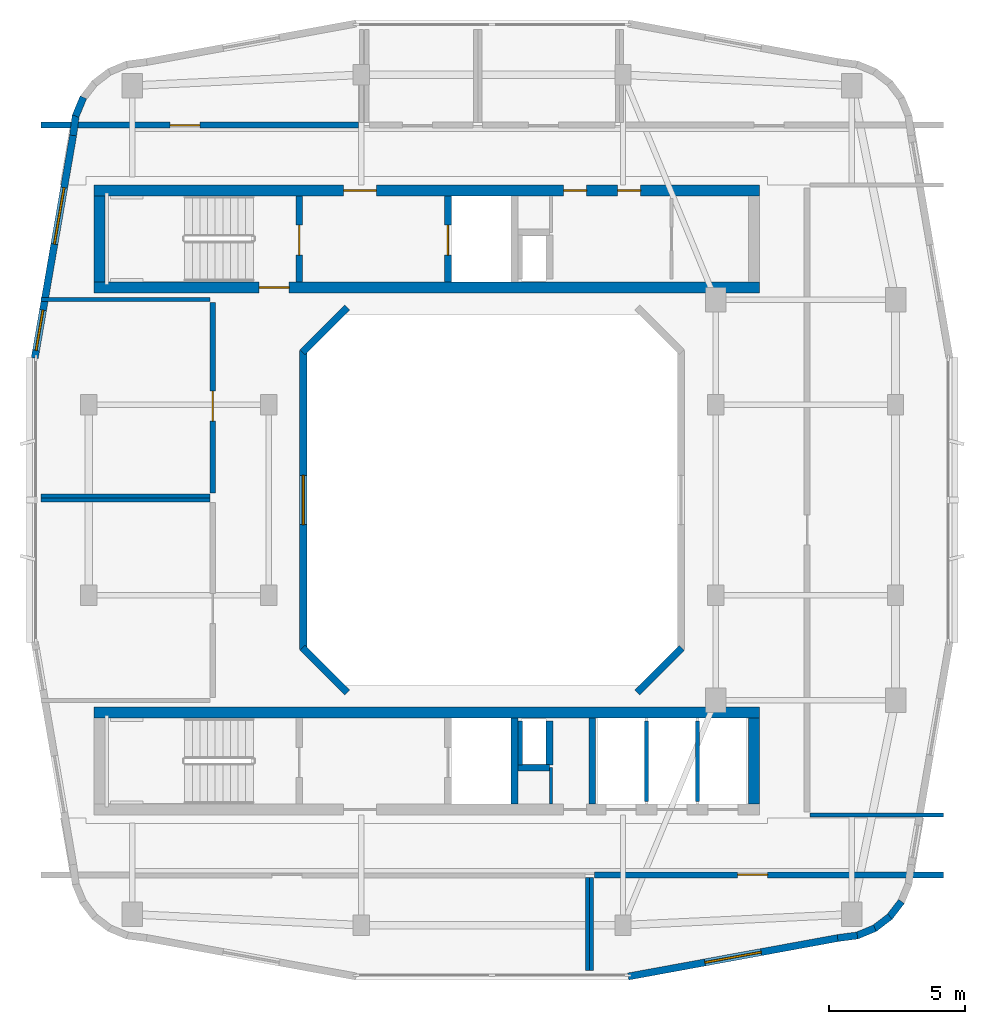
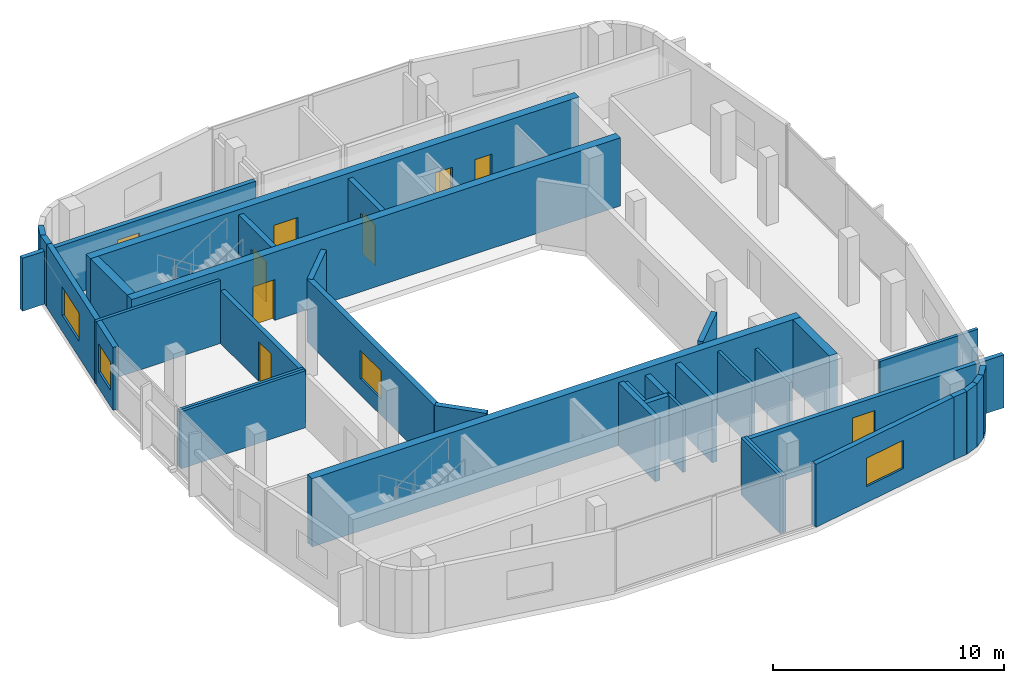
# One storey, part 4 of 10: 36 walls, 9 doors, 4 windows, 13 openings.
"""IFC4 building model written with IfcOpenShell, lengths in metres."""

from ifc_helpers import new_model, si_unit, derived_unit, direction, frame, frame_2d, origin, place, context, subcontext, project, spatial, rectangle, extrude, material, layer, layer_set, type_object, element, fill, save


model = new_model("IFC4")

# Units and contexts
model_context = context("Model", 3, precision=1e-05, world=origin(), true_north=direction((0.0, 1.0)))
body_context = subcontext(model_context, "Body", "Model", "MODEL_VIEW")
ifc_project = project(units=[si_unit("LENGTHUNIT", "METRE"), si_unit("AREAUNIT", "SQUARE_METRE"), si_unit("VOLUMEUNIT", "CUBIC_METRE"), si_unit("PLANEANGLEUNIT", "RADIAN"), si_unit("MASSUNIT", "GRAM", prefix="KILO"), derived_unit("THERMALTRANSMITTANCEUNIT", [(si_unit("POWERUNIT", "WATT"), 1), (si_unit("LENGTHUNIT", "METRE"), -2), (si_unit("THERMODYNAMICTEMPERATUREUNIT", "KELVIN"), -1)])], contexts=[model_context])

# Site, building, storey
site_placement = place(None, origin())
site = spatial("IfcSite", under=ifc_project, at=site_placement, CompositionType="ELEMENT")
building_placement = place(site_placement, origin())
building = spatial("IfcBuilding", under=site, at=building_placement, Name="Kivonza Crest Hotel", CompositionType="ELEMENT")
storey_placement = place(building_placement, frame((0.0, 0.0, 264.800048828125)))
storey = spatial("IfcBuildingStorey", under=building, at=storey_placement, Name="L72", CompositionType="ELEMENT", Elevation=264.800048828125)

# Wall, opening, door
ifc_material_1 = material(Name="Autoclaved aerated concrete blockwork", Category="masonry")
ifc_layer_1 = layer(ifc_material_1, 0.219970703125)
ifc_layer_set_1 = layer_set([ifc_layer_1], Name="Autoclaved aerated concrete blockwork")
wall_type_1 = type_object("IfcWallType", Name="WL-ACOU-220", PredefinedType="SOLIDWALL", material=ifc_layer_set_1)
wall_1_placement = place(storey_placement, frame((10.75, 25.25, 0.0), z_axis=(0.0, 0.0, 1.0), x_axis=(0.0, 1.0, 0.0)))
wall_1 = element("IfcWall", 1, at=wall_1_placement, inside=storey, type_object=wall_type_1, Name="L72 interior partition WA-L72-PDR-B-E", PredefinedType="SOLIDWALL", context=body_context, shape_type="SweptSolid", body=[
    extrude(rectangle(XDim=7.0, YDim=0.219970703125, at=frame_2d((3.5, 0.0))), origin(), (0.0, 0.0, 1.0), 2.794921875),
])
opening_1_placement = place(wall_1_placement, frame((2.64501953125, 0.0, 0.0)))
opening_1 = element("IfcOpeningElement", 2, at=opening_1_placement, cuts=wall_1, Name="Opening DF-60M", PredefinedType="OPENING", context=body_context, shape_type="SweptSolid", body=[
    extrude(rectangle(XDim=1.10009765625, YDim=2.10009765625, at=frame_2d((0.550048828125, 1.050048828125))), frame((0.0, 0.1201171875, 0.0), z_axis=(0.0, -1.0, 0.0), x_axis=(1.0, 0.0, 0.0)), (0.0, 0.0, 1.0), 0.239990234375),
])
ifc_material_2 = material(Name="Hardwood timber oak", Category="wood")
door_type_1 = type_object("IfcDoorType", Name="DR-FD60-1100", OperationType="NOTDEFINED", PredefinedType="DOOR", material=ifc_material_2)
door_1_placement = place(opening_1_placement, origin())
door_1 = element("IfcDoor", 3, at=door_1_placement, inside=storey, type_object=door_type_1, Name="L72 Sommelier Wine Dining Salon door", OperationType="SINGLE_SWING_LEFT", OverallHeight=2.10009765625, OverallWidth=1.10009765625, PredefinedType="DOOR", context=body_context, shape_type="SweptSolid", body=[
    extrude(rectangle(XDim=1.10009765625, YDim=2.10009765625, at=frame_2d((0.550048828125, 1.050048828125))), frame((0.0, 0.02490234375, 0.0), z_axis=(0.0, -1.0, 0.0), x_axis=(1.0, 0.0, 0.0)), (0.0, 0.0, 1.0), 0.050048828125),
])
fill(opening_1, door_1)

wall_2_placement = place(storey_placement, frame((24.75, 11.25, 0.0), z_axis=(0.0, 0.0, 1.0), x_axis=(1.0, 0.0, 0.0)))
wall_2 = element("IfcWall", 4, at=wall_2_placement, inside=storey, type_object=wall_type_1, Name="L72 interior partition WA-L72-CRSDIN-N", PredefinedType="SOLIDWALL", context=body_context, shape_type="SweptSolid", body=[
    extrude(rectangle(XDim=12.81005859375, YDim=0.219970703125, at=frame_2d((6.405029296875, 0.0))), origin(), (0.0, 0.0, 1.0), 2.794921875),
])
opening_2_placement = place(wall_2_placement, frame((5.259033203125, 0.0, 0.0)))
opening_2 = element("IfcOpeningElement", 5, at=opening_2_placement, cuts=wall_2, Name="Opening DF-60M", PredefinedType="OPENING", context=body_context, shape_type="SweptSolid", body=[
    extrude(rectangle(XDim=1.10009765625, YDim=2.10009765625, at=frame_2d((0.550048828125, 1.050048828125))), frame((0.0, 0.1201171875, 0.0), z_axis=(0.0, -1.0, 0.0), x_axis=(1.0, 0.0, 0.0)), (0.0, 0.0, 1.0), 0.239990234375),
])
door_2_placement = place(opening_2_placement, frame((1.10009765625, 0.0, 0.0), z_axis=(0.0, 0.0, 1.0), x_axis=(-1.0, 0.0, 0.0)))
door_2 = element("IfcDoor", 6, at=door_2_placement, inside=storey, type_object=door_type_1, Name="L72 South Panorama Banquet Room door", OperationType="SINGLE_SWING_LEFT", OverallHeight=2.10009765625, OverallWidth=1.10009765625, PredefinedType="DOOR", context=body_context, shape_type="SweptSolid", body=[
    extrude(rectangle(XDim=1.10009765625, YDim=2.10009765625, at=frame_2d((0.550048828125, 1.050048828125))), frame((0.0, 0.02490234375, 0.0), z_axis=(0.0, -1.0, 0.0), x_axis=(1.0, 0.0, 0.0)), (0.0, 0.0, 1.0), 0.050048828125),
])
fill(opening_2, door_2)

wall_3_placement = place(storey_placement, frame((4.43994140625, 38.75, 0.0), z_axis=(0.0, 0.0, 1.0), x_axis=(1.0, 0.0, 0.0)))
wall_3 = element("IfcWall", 7, at=wall_3_placement, inside=storey, type_object=wall_type_1, Name="L72 interior partition WA-L72-CRNWST-S", PredefinedType="SOLIDWALL", context=body_context, shape_type="SweptSolid", body=[
    extrude(rectangle(XDim=11.66015625, YDim=0.219970703125, at=frame_2d((5.830078125, 0.0))), origin(), (0.0, 0.0, 1.0), 2.794921875),
])
opening_3_placement = place(wall_3_placement, frame((4.741943359375, 0.0, 0.0)))
opening_3 = element("IfcOpeningElement", 8, at=opening_3_placement, cuts=wall_3, Name="Opening DF-60M", PredefinedType="OPENING", context=body_context, shape_type="SweptSolid", body=[
    extrude(rectangle(XDim=1.10009765625, YDim=2.10009765625, at=frame_2d((0.550048828125, 1.050048828125))), frame((0.0, 0.1201171875, 0.0), z_axis=(0.0, -1.0, 0.0), x_axis=(1.0, 0.0, 0.0)), (0.0, 0.0, 1.0), 0.239990234375),
])
door_3_placement = place(opening_3_placement, origin())
door_3 = element("IfcDoor", 9, at=door_3_placement, inside=storey, type_object=door_type_1, Name="L72 North-West Wine Salon door", OperationType="SINGLE_SWING_LEFT", OverallHeight=2.10009765625, OverallWidth=1.10009765625, PredefinedType="DOOR", context=body_context, shape_type="SweptSolid", body=[
    extrude(rectangle(XDim=1.10009765625, YDim=2.10009765625, at=frame_2d((0.550048828125, 1.050048828125))), frame((0.0, 0.02490234375, 0.0), z_axis=(0.0, -1.0, 0.0), x_axis=(1.0, 0.0, 0.0)), (0.0, 0.0, 1.0), 0.050048828125),
])
fill(opening_3, door_3)

ifc_material_3 = material(Name="Concrete C50/60", Category="concrete")
ifc_layer_2 = layer(ifc_material_3, 0.39990234375)
ifc_layer_set_2 = layer_set([ifc_layer_2], Name="Concrete C50/60")
wall_type_2 = type_object("IfcWallType", Name="WL-CORE-400", PredefinedType="SHEAR", material=ifc_layer_set_2)
wall_4_placement = place(storey_placement, frame((6.39990234375, 32.800048828125, 0.0), z_axis=(0.0, 0.0, 1.0), x_axis=(1.0, 0.0, 0.0)))
wall_4 = element("IfcWall", 10, at=wall_4_placement, inside=storey, type_object=wall_type_2, Name="Core wall T1-N South L72", PredefinedType="SHEAR", context=body_context, shape_type="SweptSolid", body=[
    extrude(rectangle(XDim=24.400146484375, YDim=0.39990234375, at=frame_2d((12.2001953125, 0.0))), origin(), (0.0, 0.0, 1.0), 3.599853515625),
])
opening_4_placement = place(wall_4_placement, frame((6.050048828125, 0.0, 0.0)))
opening_4 = element("IfcOpeningElement", 11, at=opening_4_placement, cuts=wall_4, Name="Opening DF-120", PredefinedType="OPENING", context=body_context, shape_type="SweptSolid", body=[
    extrude(rectangle(XDim=1.10009765625, YDim=2.14990234375, at=frame_2d((0.550048828125, 1.074951171875))), frame((0.0, 0.2099609375, 0.0), z_axis=(0.0, -1.0, 0.0), x_axis=(1.0, 0.0, 0.0)), (0.0, 0.0, 1.0), 0.419921875),
])
ifc_material_4 = material(Name="Galvanised steel", Category="steel")
door_type_2 = type_object("IfcDoorType", Name="DR-FD120-1100", OperationType="NOTDEFINED", PredefinedType="DOOR", material=ifc_material_4)
door_4_placement = place(opening_4_placement, origin())
door_4 = element("IfcDoor", 12, at=door_4_placement, inside=storey, type_object=door_type_2, Name="L72 Crown west corridor stair fire door", OperationType="SINGLE_SWING_LEFT", OverallHeight=2.14990234375, OverallWidth=1.10009765625, PredefinedType="DOOR", context=body_context, shape_type="SweptSolid", body=[
    extrude(rectangle(XDim=1.10009765625, YDim=2.14990234375, at=frame_2d((0.550048828125, 1.074951171875))), frame((0.0, 0.02490234375, 0.0), z_axis=(0.0, -1.0, 0.0), x_axis=(1.0, 0.0, 0.0)), (0.0, 0.0, 1.0), 0.050048828125),
])
fill(opening_4, door_4)

# Wall, openings, doors
wall_5_placement = place(storey_placement, frame((6.39990234375, 36.360107421875, 0.0), z_axis=(0.0, 0.0, 1.0), x_axis=(1.0, 0.0, 0.0)))
wall_5 = element("IfcWall", 13, at=wall_5_placement, inside=storey, type_object=wall_type_2, Name="Core wall T1-N North L72", PredefinedType="SHEAR", context=body_context, shape_type="SweptSolid", body=[
    extrude(rectangle(XDim=24.400146484375, YDim=0.39990234375, at=frame_2d((12.2001953125, 0.0))), origin(), (0.0, 0.0, 1.0), 3.599853515625),
])
opening_5_placement = place(wall_5_placement, frame((9.14990234375, 0.0, 0.0)))
opening_5 = element("IfcOpeningElement", 14, at=opening_5_placement, cuts=wall_5, Name="Opening DF-60", PredefinedType="OPENING", context=body_context, shape_type="SweptSolid", body=[
    extrude(rectangle(XDim=1.199951171875, YDim=2.14990234375, at=frame_2d((0.60009765625, 1.074951171875))), frame((0.0, 0.2099609375, 0.0), z_axis=(0.0, -1.0, 0.0), x_axis=(1.0, 0.0, 0.0)), (0.0, 0.0, 1.0), 0.419921875),
])
opening_6_placement = place(wall_5_placement, frame((19.199951171875, 0.0, 0.0)))
opening_6 = element("IfcOpeningElement", 15, at=opening_6_placement, cuts=wall_5, Name="Opening DF-60R", PredefinedType="OPENING", context=body_context, shape_type="SweptSolid", body=[
    extrude(rectangle(XDim=0.85009765625, YDim=2.10009765625, at=frame_2d((0.425048828125, 1.050048828125))), frame((0.0, 0.2099609375, 0.0), z_axis=(0.0, -1.0, 0.0), x_axis=(1.0, 0.0, 0.0)), (0.0, 0.0, 1.0), 0.419921875),
])
opening_7_placement = place(wall_5_placement, frame((17.219970703125, 0.0, 0.0)))
opening_7 = element("IfcOpeningElement", 16, at=opening_7_placement, cuts=wall_5, Name="Opening DF-60R", PredefinedType="OPENING", context=body_context, shape_type="SweptSolid", body=[
    extrude(rectangle(XDim=0.85009765625, YDim=2.10009765625, at=frame_2d((0.425048828125, 1.050048828125))), frame((0.0, 0.2099609375, 0.0), z_axis=(0.0, -1.0, 0.0), x_axis=(1.0, 0.0, 0.0)), (0.0, 0.0, 1.0), 0.419921875),
])
door_type_3 = type_object("IfcDoorType", Name="DR-FD60-1200", OperationType="NOTDEFINED", PredefinedType="DOOR", material=ifc_material_2)
door_5_placement = place(opening_5_placement, origin())
door_5 = element("IfcDoor", 17, at=door_5_placement, inside=storey, type_object=door_type_3, Name="L72 T1-N firefighting lobby fire door", OperationType="SINGLE_SWING_RIGHT", OverallHeight=2.14990234375, OverallWidth=1.199951171875, PredefinedType="DOOR", context=body_context, shape_type="SweptSolid", body=[
    extrude(rectangle(XDim=1.199951171875, YDim=2.14990234375, at=frame_2d((0.60009765625, 1.074951171875))), frame((0.0, 0.02490234375, 0.0), z_axis=(0.0, -1.0, 0.0), x_axis=(1.0, 0.0, 0.0)), (0.0, 0.0, 1.0), 0.050048828125),
])
fill(opening_5, door_5)
door_type_4 = type_object("IfcDoorType", Name="DR-FD60-850", OperationType="NOTDEFINED", PredefinedType="DOOR", material=ifc_material_2)
door_6_placement = place(opening_6_placement, origin())
door_6 = element("IfcDoor", 18, at=door_6_placement, inside=storey, type_object=door_type_4, Name="L72 T1-N reclaimed core service door", OperationType="SINGLE_SWING_LEFT", OverallHeight=2.10009765625, OverallWidth=0.85009765625, PredefinedType="DOOR", context=body_context, shape_type="SweptSolid", body=[
    extrude(rectangle(XDim=0.85009765625, YDim=2.10009765625, at=frame_2d((0.425048828125, 1.050048828125))), frame((0.0, 0.02490234375, 0.0), z_axis=(0.0, -1.0, 0.0), x_axis=(1.0, 0.0, 0.0)), (0.0, 0.0, 1.0), 0.050048828125),
])
fill(opening_6, door_6)
door_7_placement = place(opening_7_placement, origin())
door_7 = element("IfcDoor", 19, at=door_7_placement, inside=storey, type_object=door_type_4, Name="L72 T1-N core room door", OperationType="SINGLE_SWING_RIGHT", OverallHeight=2.10009765625, OverallWidth=0.85009765625, PredefinedType="DOOR", context=body_context, shape_type="SweptSolid", body=[
    extrude(rectangle(XDim=0.85009765625, YDim=2.10009765625, at=frame_2d((0.425048828125, 1.050048828125))), frame((0.0, 0.02490234375, 0.0), z_axis=(0.0, -1.0, 0.0), x_axis=(1.0, 0.0, 0.0)), (0.0, 0.0, 1.0), 0.050048828125),
])
fill(opening_7, door_7)

# Walls
wall_6_placement = place(storey_placement, frame((6.60009765625, 33.0, 0.0), z_axis=(0.0, 0.0, 1.0), x_axis=(0.0, 1.0, 0.0)))
element("IfcWall", 20, at=wall_6_placement, inside=storey, type_object=wall_type_2, Name="Core wall T1-N West L72", PredefinedType="SHEAR", context=body_context, shape_type="SweptSolid", body=[
    extrude(rectangle(XDim=3.159912109375, YDim=0.39990234375, at=frame_2d((1.580078125, 0.0))), origin(), (0.0, 0.0, 1.0), 3.599853515625),
])
wall_7_placement = place(storey_placement, frame((6.39990234375, 17.199951171875, 0.0), z_axis=(0.0, 0.0, 1.0), x_axis=(1.0, 0.0, 0.0)))
element("IfcWall", 21, at=wall_7_placement, inside=storey, type_object=wall_type_2, Name="Core wall T1-S North L72", PredefinedType="SHEAR", context=body_context, shape_type="SweptSolid", body=[
    extrude(rectangle(XDim=24.400146484375, YDim=0.39990234375, at=frame_2d((12.2001953125, 0.0))), origin(), (0.0, 0.0, 1.0), 3.599853515625),
])
wall_8_placement = place(storey_placement, frame((30.60009765625, 13.840087890625, 0.0), z_axis=(0.0, 0.0, 1.0), x_axis=(0.0, 1.0, 0.0)))
element("IfcWall", 22, at=wall_8_placement, inside=storey, type_object=wall_type_2, Name="Core wall T1-S East L72", PredefinedType="SHEAR", context=body_context, shape_type="SweptSolid", body=[
    extrude(rectangle(XDim=3.159912109375, YDim=0.39990234375, at=frame_2d((1.580078125, 0.0))), origin(), (0.0, 0.0, 1.0), 3.599853515625),
])

# Wall, opening, window
ifc_material_5 = material(Name="Precast concrete C40/50", Category="concrete")
ifc_layer_3 = layer(ifc_material_5, 0.260009765625)
ifc_layer_set_3 = layer_set([ifc_layer_3], Name="Precast concrete C40/50")
wall_type_3 = type_object("IfcWallType", Name="WL-EXT-260", PredefinedType="STANDARD", material=ifc_layer_set_3)
wall_9_placement = place(storey_placement, frame((25.992919921875, 7.51806640625, 0.0), z_axis=(0.0, 0.0, 1.0), x_axis=(0.983591511167, 0.180409919797, 0.0)))
wall_9 = element("IfcWall", 23, at=wall_9_placement, inside=storey, type_object=wall_type_3, Name="L72 T1 exterior insulated wall 9", PredefinedType="STANDARD", context=body_context, shape_type="SweptSolid", body=[
    extrude(rectangle(XDim=7.820556640625, YDim=0.260009765625, at=frame_2d((3.91015625, 0.0))), origin(), (0.0, 0.0, 1.0), 3.320068359375),
])
opening_8_placement = place(wall_9_placement, frame((2.860107421875, 0.0, 0.85009765625)))
opening_8 = element("IfcOpeningElement", 24, at=opening_8_placement, cuts=wall_9, Name="Opening WN-04", PredefinedType="OPENING", context=body_context, shape_type="SweptSolid", body=[
    extrude(rectangle(XDim=2.10009765625, YDim=1.5, at=frame_2d((1.050048828125, 0.75))), frame((0.0, 0.14013671875, 0.0), z_axis=(0.0, -1.0, 0.0), x_axis=(1.0, 0.0, 0.0)), (0.0, 0.0, 1.0), 0.280029296875),
])
ifc_material_6 = material(Name="Thermally broken bronze aluminium and low-E double glazing", Category="aluminium")
window_type_1 = type_object("IfcWindowType", Name="WN-210x150", PartitioningType="DOUBLE_PANEL_VERTICAL", PredefinedType="WINDOW", material=ifc_material_6)
window_1_placement = place(opening_8_placement, origin())
window_1 = element("IfcWindow", 25, at=window_1_placement, inside=storey, type_object=window_type_1, Name="L72 T1 facade window 9", OverallHeight=1.5, OverallWidth=2.10009765625, PartitioningType="SINGLE_PANEL", PredefinedType="WINDOW", context=body_context, shape_type="SweptSolid", body=[
    extrude(rectangle(XDim=2.10009765625, YDim=1.5, at=frame_2d((1.050048828125, 0.75))), frame((0.0, 0.030029296875, 0.0), z_axis=(0.0, -1.0, 0.0), x_axis=(1.0, 0.0, 0.0)), (0.0, 0.0, 1.0), 0.06005859375),
])
fill(opening_8, window_1)

# Walls
wall_10_placement = place(storey_placement, frame((33.675048828125, 8.927978515625, 0.0), z_axis=(0.0, 0.0, 1.0), x_axis=(0.991480488834, 0.130255288807, 0.0)))
element("IfcWall", 26, at=wall_10_placement, inside=storey, type_object=wall_type_3, Name="L72 T1 exterior insulated wall 10", PredefinedType="STANDARD", context=body_context, shape_type="SweptSolid", body=[
    extrude(rectangle(XDim=0.72900390625, YDim=0.260009765625, at=frame_2d((0.364501953125, 0.0))), origin(), (0.0, 0.0, 1.0), 3.320068359375),
])
for number, where, z_axis, x_axis, name in (
    (27, (34.35205078125, 9.0048828125, 0.0), (0.0, 0.0, 1.0), (0.923521684703, 0.383546213491, 0.0), "L72 T1 exterior insulated wall 11"),
    (28, (35.0009765625, 9.262939453125, 0.0), (0.0, 0.0, 1.0), (0.793474681772, 0.608603261071, 0.0), "L72 T1 exterior insulated wall 12"),
    (29, (35.56201171875, 9.678955078125, 0.0), (0.0, 0.0, 1.0), (0.608603261071, 0.793474681772, 0.0), "L72 T1 exterior insulated wall 13"),
):
    element("IfcWall", number, at=place(storey_placement, frame(where, z_axis=z_axis, x_axis=x_axis)), inside=storey, type_object=wall_type_3, Name=name, PredefinedType="STANDARD", context=body_context, shape_type="SweptSolid", body=[
        extrude(rectangle(XDim=0.74609375, YDim=0.260009765625, at=frame_2d((0.373046875, 0.0))), origin(), (0.0, 0.0, 1.0), 3.320068359375),
    ])
wall_11_placement = place(storey_placement, frame((6.0048828125, 39.77294921875, 0.0), z_axis=(0.0, 0.0, 1.0), x_axis=(-0.383267045233, -0.923637576129, 0.0)))
element("IfcWall", 30, at=wall_11_placement, inside=storey, type_object=wall_type_3, Name="L72 T1 exterior insulated wall 32", PredefinedType="STANDARD", context=body_context, shape_type="SweptSolid", body=[
    extrude(rectangle(XDim=0.745849609375, YDim=0.260009765625, at=frame_2d((0.373046875, 0.0))), origin(), (0.0, 0.0, 1.0), 3.320068359375),
])
wall_12_placement = place(storey_placement, frame((5.72705078125, 39.133056640625, 0.0), z_axis=(0.0, 0.0, 1.0), x_axis=(-0.129653178221, -0.991559404866, 0.0)))
element("IfcWall", 31, at=wall_12_placement, inside=storey, type_object=wall_type_3, Name="L72 T1 exterior insulated wall 33", PredefinedType="STANDARD", context=body_context, shape_type="SweptSolid", body=[
    extrude(rectangle(XDim=0.764404296875, YDim=0.260009765625, at=frame_2d((0.38232421875, 0.0))), origin(), (0.0, 0.0, 1.0), 3.320068359375),
])

# Wall, openings, windows
wall_13_placement = place(storey_placement, frame((5.62890625, 38.385986328125, 0.0), z_axis=(0.0, 0.0, 1.0), x_axis=(-0.169818291056, -0.985475391891, 0.0)))
wall_13 = element("IfcWall", 32, at=wall_13_placement, inside=storey, type_object=wall_type_3, Name="L72 T1 exterior insulated wall 34", PredefinedType="STANDARD", context=body_context, shape_type="SweptSolid", body=[
    extrude(rectangle(XDim=8.302490234375, YDim=0.260009765625, at=frame_2d((4.1513671875, 0.0))), origin(), (0.0, 0.0, 1.0), 3.320068359375),
])
opening_9_placement = place(wall_13_placement, frame((1.955078125, 0.0, 0.85009765625)))
opening_9 = element("IfcOpeningElement", 33, at=opening_9_placement, cuts=wall_13, Name="Opening WN-04", PredefinedType="OPENING", context=body_context, shape_type="SweptSolid", body=[
    extrude(rectangle(XDim=2.10009765625, YDim=1.5, at=frame_2d((1.050048828125, 0.75))), frame((0.0, 0.14013671875, 0.0), z_axis=(0.0, -1.0, 0.0), x_axis=(1.0, 0.0, 0.0)), (0.0, 0.0, 1.0), 0.280029296875),
])
opening_10_placement = place(wall_13_placement, frame((6.514892578125, 0.0, 0.85009765625)))
opening_10 = element("IfcOpeningElement", 34, at=opening_10_placement, cuts=wall_13, Name="Opening WN-02", PredefinedType="OPENING", context=body_context, shape_type="SweptSolid", body=[
    extrude(rectangle(XDim=1.5, YDim=1.5, at=frame_2d((0.75, 0.75))), frame((0.0, 0.14013671875, 0.0), z_axis=(0.0, -1.0, 0.0), x_axis=(1.0, 0.0, 0.0)), (0.0, 0.0, 1.0), 0.280029296875),
])
window_type_2 = type_object("IfcWindowType", Name="WN-150x150", PartitioningType="DOUBLE_PANEL_VERTICAL", PredefinedType="WINDOW", material=ifc_material_6)
window_2_placement = place(opening_10_placement, origin())
window_2 = element("IfcWindow", 35, at=window_2_placement, inside=storey, type_object=window_type_2, Name="L72 T1 facade window 34 bay 2", OverallHeight=1.5, OverallWidth=1.5, PartitioningType="SINGLE_PANEL", PredefinedType="WINDOW", context=body_context, shape_type="SweptSolid", body=[
    extrude(rectangle(XDim=1.5, YDim=1.5, at=frame_2d((0.75, 0.75))), frame((0.0, 0.030029296875, 0.0), z_axis=(0.0, -1.0, 0.0), x_axis=(1.0, 0.0, 0.0)), (0.0, 0.0, 1.0), 0.06005859375),
])
fill(opening_10, window_2)
window_3_placement = place(opening_9_placement, origin())
window_3 = element("IfcWindow", 36, at=window_3_placement, inside=storey, type_object=window_type_1, Name="L72 T1 facade window 34 bay 1", OverallHeight=1.5, OverallWidth=2.10009765625, PartitioningType="SINGLE_PANEL", PredefinedType="WINDOW", context=body_context, shape_type="SweptSolid", body=[
    extrude(rectangle(XDim=2.10009765625, YDim=1.5, at=frame_2d((1.050048828125, 0.75))), frame((0.0, 0.030029296875, 0.0), z_axis=(0.0, -1.0, 0.0), x_axis=(1.0, 0.0, 0.0)), (0.0, 0.0, 1.0), 0.06005859375),
])
fill(opening_9, window_3)

# Walls
for number, where, z_axis, x_axis, name in (
    (37, (26.322021484375, 17.93798828125, 0.0), (0.0, 0.0, 1.0), (0.707106781187, 0.707106781187, 0.0), "L72 T1 light-well exterior wall 2"),
    (38, (15.677978515625, 32.06201171875, 0.0), (0.0, 0.0, 1.0), (-0.707106781187, -0.707106781187, 0.0), "L72 T1 light-well exterior wall 6"),
):
    element("IfcWall", number, at=place(storey_placement, frame(where, z_axis=z_axis, x_axis=x_axis)), inside=storey, type_object=wall_type_3, Name=name, PredefinedType="STANDARD", context=body_context, shape_type="SweptSolid", body=[
        extrude(rectangle(XDim=2.310791015625, YDim=0.260009765625, at=frame_2d((1.1552734375, 0.0))), origin(), (0.0, 0.0, 1.0), 3.320068359375),
    ])

# Wall, opening, window
wall_14_placement = place(storey_placement, frame((14.070068359375, 30.489990234375, 0.0), z_axis=(0.0, 0.0, 1.0), x_axis=(0.0, -1.0, 0.0)))
wall_14 = element("IfcWall", 39, at=wall_14_placement, inside=storey, type_object=wall_type_3, Name="L72 T1 light-well exterior wall 7", PredefinedType="STANDARD", context=body_context, shape_type="SweptSolid", body=[
    extrude(rectangle(XDim=10.97998046875, YDim=0.260009765625, at=frame_2d((5.489990234375, 0.0))), origin(), (0.0, 0.0, 1.0), 3.320068359375),
])
opening_11_placement = place(wall_14_placement, frame((4.590087890625, 0.0, 0.85009765625)))
opening_11 = element("IfcOpeningElement", 40, at=opening_11_placement, cuts=wall_14, Name="Opening WN-03", PredefinedType="OPENING", context=body_context, shape_type="SweptSolid", body=[
    extrude(rectangle(XDim=1.800048828125, YDim=1.5, at=frame_2d((0.89990234375, 0.75))), frame((0.0, 0.14013671875, 0.0), z_axis=(0.0, -1.0, 0.0), x_axis=(1.0, 0.0, 0.0)), (0.0, 0.0, 1.0), 0.280029296875),
])
window_type_3 = type_object("IfcWindowType", Name="WN-180x150", PartitioningType="DOUBLE_PANEL_VERTICAL", PredefinedType="WINDOW", material=ifc_material_6)
window_4_placement = place(opening_11_placement, origin())
window_4 = element("IfcWindow", 41, at=window_4_placement, inside=storey, type_object=window_type_3, Name="L72 T1 light-well window 7", OverallHeight=1.5, OverallWidth=1.800048828125, PartitioningType="SINGLE_PANEL", PredefinedType="WINDOW", context=body_context, shape_type="SweptSolid", body=[
    extrude(rectangle(XDim=1.800048828125, YDim=1.5, at=frame_2d((0.89990234375, 0.75))), frame((0.0, 0.030029296875, 0.0), z_axis=(0.0, -1.0, 0.0), x_axis=(1.0, 0.0, 0.0)), (0.0, 0.0, 1.0), 0.06005859375),
])
fill(opening_11, window_4)

# Walls
wall_15_placement = place(storey_placement, frame((14.0439453125, 19.572021484375, 0.0), z_axis=(0.0, 0.0, 1.0), x_axis=(0.707106781187, -0.707106781187, 0.0)))
element("IfcWall", 42, at=wall_15_placement, inside=storey, type_object=wall_type_3, Name="L72 T1 light-well exterior wall 8", PredefinedType="STANDARD", context=body_context, shape_type="SweptSolid", body=[
    extrude(rectangle(XDim=2.310791015625, YDim=0.260009765625, at=frame_2d((1.1552734375, 0.0))), origin(), (0.0, 0.0, 1.0), 3.320068359375),
])
ifc_material_7 = material(Name="Concrete blockwork fire-compartment wall", Category="masonry")
ifc_layer_4 = layer(ifc_material_7, 0.25)
ifc_layer_set_4 = layer_set([ifc_layer_4], Name="Concrete blockwork fire-compartment wall")
wall_type_4 = type_object("IfcWallType", Name="WL-FIRE-250", PredefinedType="SOLIDWALL", material=ifc_layer_set_4)
wall_16_placement = place(storey_placement, frame((23.10009765625, 15.280029296875, 0.0), z_axis=(0.0, 0.0, 1.0), x_axis=(0.0, 1.0, 0.0)))
element("IfcWall", 43, at=wall_16_placement, inside=storey, type_object=wall_type_4, Name="L72 interior partition WA-L72-T1-S-MEPR-E", PredefinedType="SOLIDWALL", context=body_context, shape_type="SweptSolid", body=[
    extrude(rectangle(XDim=1.619873046875, YDim=0.25, at=frame_2d((0.81005859375, 0.0))), origin(), (0.0, 0.0, 1.0), 3.320068359375),
])
wall_17_placement = place(storey_placement, frame((21.949951171875, 15.179931640625, 0.0), z_axis=(0.0, 0.0, 1.0), x_axis=(1.0, 0.0, 0.0)))
element("IfcWall", 44, at=wall_17_placement, inside=storey, type_object=wall_type_4, Name="L72 interior partition WA-L72-T1-S-MEPR-H", PredefinedType="SOLIDWALL", context=body_context, shape_type="SweptSolid", body=[
    extrude(rectangle(XDim=1.150146484375, YDim=0.25, at=frame_2d((0.5751953125, 0.0))), origin(), (0.0, 0.0, 1.0), 3.320068359375),
])
ifc_material_8 = material(Name="Metal-stud gypsum board partition", Category="gypsum")
ifc_layer_5 = layer(ifc_material_8, 0.125)
ifc_layer_set_5 = layer_set([ifc_layer_5], Name="Metal-stud gypsum board partition")
wall_type_5 = type_object("IfcWallType", Name="WL-PART-125", PredefinedType="PARTITIONING", material=ifc_layer_set_5)
wall_18_placement = place(storey_placement, frame((23.159912109375, 13.840087890625, 0.0), z_axis=(0.0, 0.0, 1.0), x_axis=(0.0, 1.0, 0.0)))
element("IfcWall", 45, at=wall_18_placement, inside=storey, type_object=wall_type_5, Name="L72 interior partition WP-L72-T1-S-SV1V", PredefinedType="PARTITIONING", context=body_context, shape_type="SweptSolid", body=[
    extrude(rectangle(XDim=1.33984375, YDim=0.125, at=frame_2d((0.669921875, 0.0))), origin(), (0.0, 0.0, 1.0), 3.320068359375),
])
ifc_material_9 = material(Name="Twin-stud acoustic gypsum board partition", Category="gypsum")
ifc_layer_6 = layer(ifc_material_9, 0.14990234375)
ifc_layer_set_6 = layer_set([ifc_layer_6], Name="Twin-stud acoustic gypsum board partition")
wall_type_6 = type_object("IfcWallType", Name="WL-PART-150", PredefinedType="PARTITIONING", material=ifc_layer_set_6)
wall_19_placement = place(storey_placement, frame((22.030029296875, 15.280029296875, 0.0), z_axis=(0.0, 0.0, 1.0), x_axis=(0.0, 1.0, 0.0)))
element("IfcWall", 46, at=wall_19_placement, inside=storey, type_object=wall_type_6, Name="L72 interior partition WA-L72-T1-S-MEPR-W", PredefinedType="PARTITIONING", context=body_context, shape_type="SweptSolid", body=[
    extrude(rectangle(XDim=1.619873046875, YDim=0.14990234375, at=frame_2d((0.81005859375, 0.0))), origin(), (0.0, 0.0, 1.0), 3.320068359375),
])
wall_20_placement = place(storey_placement, frame((26.6669921875, 13.93994140625, 0.0), z_axis=(0.0, 0.0, 1.0), x_axis=(0.0, 1.0, 0.0)))
element("IfcWall", 47, at=wall_20_placement, inside=storey, type_object=wall_type_6, Name="L72 interior partition WP-L72-T1-S-BSH-1", PredefinedType="PARTITIONING", context=body_context, shape_type="SweptSolid", body=[
    extrude(rectangle(XDim=2.9599609375, YDim=0.14990234375, at=frame_2d((1.47998046875, 0.0))), origin(), (0.0, 0.0, 1.0), 3.320068359375),
])
wall_21_placement = place(storey_placement, frame((28.532958984375, 13.93994140625, 0.0), z_axis=(0.0, 0.0, 1.0), x_axis=(0.0, 1.0, 0.0)))
element("IfcWall", 48, at=wall_21_placement, inside=storey, type_object=wall_type_6, Name="L72 interior partition WP-L72-T1-S-BSH-2", PredefinedType="PARTITIONING", context=body_context, shape_type="SweptSolid", body=[
    extrude(rectangle(XDim=2.9599609375, YDim=0.14990234375, at=frame_2d((1.47998046875, 0.0))), origin(), (0.0, 0.0, 1.0), 2.794921875),
])
wall_22_placement = place(storey_placement, frame((32.659912109375, 13.449951171875, 0.0), z_axis=(0.0, 0.0, 1.0), x_axis=(1.0, 0.0, 0.0)))
element("IfcWall", 49, at=wall_22_placement, inside=storey, type_object=wall_type_6, Name="L72 interior partition WP-L72-SKYREST-BS", PredefinedType="PARTITIONING", context=body_context, shape_type="SweptSolid", body=[
    extrude(rectangle(XDim=4.900146484375, YDim=0.14990234375, at=frame_2d((2.4501953125, 0.0))), origin(), (0.0, 0.0, 1.0), 2.794921875),
])
for number, where, z_axis, x_axis, name in (
    (50, (4.43994140625, 25.0, 0.0), (0.0, 0.0, 1.0), (1.0, 0.0, 0.0), "L72 interior partition WP-L72-PDR-A-BN"),
    (51, (4.43994140625, 25.14990234375, 0.0), (0.0, 0.0, 1.0), (1.0, 0.0, 0.0), "L72 interior partition WP-L72-PDR-B-BS"),
):
    element("IfcWall", number, at=place(storey_placement, frame(where, z_axis=z_axis, x_axis=x_axis)), inside=storey, type_object=wall_type_6, Name=name, PredefinedType="PARTITIONING", context=body_context, shape_type="SweptSolid", body=[
        extrude(rectangle(XDim=6.2099609375, YDim=0.14990234375, at=frame_2d((3.10498046875, 0.0))), origin(), (0.0, 0.0, 1.0), 3.014892578125),
    ])
wall_23_placement = place(storey_placement, frame((4.43994140625, 32.35009765625, 0.0), z_axis=(0.0, 0.0, 1.0), x_axis=(1.0, 0.0, 0.0)))
element("IfcWall", 52, at=wall_23_placement, inside=storey, type_object=wall_type_6, Name="L72 interior partition WP-L72-PDR-B-BN", PredefinedType="PARTITIONING", context=body_context, shape_type="SweptSolid", body=[
    extrude(rectangle(XDim=6.2099609375, YDim=0.14990234375, at=frame_2d((3.10498046875, 0.0))), origin(), (0.0, 0.0, 1.0), 3.320068359375),
])
for number, where, z_axis, x_axis, name in (
    (53, (24.5, 7.739990234375, 0.0), (0.0, 0.0, 1.0), (0.0, 1.0, 0.0), "L72 interior partition WP-L72-CRKIT-BE"),
    (54, (24.64990234375, 7.739990234375, 0.0), (0.0, 0.0, 1.0), (0.0, 1.0, 0.0), "L72 interior partition WP-L72-CRSDIN-BW"),
):
    element("IfcWall", number, at=place(storey_placement, frame(where, z_axis=z_axis, x_axis=x_axis)), inside=storey, type_object=wall_type_6, Name=name, PredefinedType="PARTITIONING", context=body_context, shape_type="SweptSolid", body=[
        extrude(rectangle(XDim=3.409912109375, YDim=0.14990234375, at=frame_2d((1.705078125, 0.0))), origin(), (0.0, 0.0, 1.0), 3.014892578125),
    ])

# Wall, opening, door
ifc_layer_7 = layer(ifc_material_3, 0.25)
ifc_layer_set_7 = layer_set([ifc_layer_7], Name="Concrete C50/60")
wall_type_7 = type_object("IfcWallType", Name="WL-SHAFT-250", PredefinedType="STANDARD", material=ifc_layer_set_7)
wall_24_placement = place(storey_placement, frame((13.925048828125, 33.0, 0.0), z_axis=(0.0, 0.0, 1.0), x_axis=(0.0, 1.0, 0.0)))
wall_24 = element("IfcWall", 55, at=wall_24_placement, inside=storey, type_object=wall_type_7, Name="Core shaft wall T1-N STAIR L72", PredefinedType="STANDARD", context=body_context, shape_type="SweptSolid", body=[
    extrude(rectangle(XDim=3.159912109375, YDim=0.25, at=frame_2d((1.580078125, 0.0))), origin(), (0.0, 0.0, 1.0), 3.320068359375),
])
opening_12_placement = place(wall_24_placement, frame((0.97998046875, 0.0, 0.0)))
opening_12 = element("IfcOpeningElement", 56, at=opening_12_placement, cuts=wall_24, Name="Opening DF-120", PredefinedType="OPENING", context=body_context, shape_type="SweptSolid", body=[
    extrude(rectangle(XDim=1.10009765625, YDim=2.14990234375, at=frame_2d((0.550048828125, 1.074951171875))), frame((0.0, 0.135009765625, 0.0), z_axis=(0.0, -1.0, 0.0), x_axis=(1.0, 0.0, 0.0)), (0.0, 0.0, 1.0), 0.27001953125),
])
door_8_placement = place(opening_12_placement, frame((1.10009765625, 0.0, 0.0), z_axis=(0.0, 0.0, 1.0), x_axis=(-1.0, 0.0, 0.0)))
door_8 = element("IfcDoor", 57, at=door_8_placement, inside=storey, type_object=door_type_2, Name="L72 T1-N stair fire door", OperationType="SINGLE_SWING_LEFT", OverallHeight=2.14990234375, OverallWidth=1.10009765625, PredefinedType="DOOR", context=body_context, shape_type="SweptSolid", body=[
    extrude(rectangle(XDim=1.10009765625, YDim=2.14990234375, at=frame_2d((0.550048828125, 1.074951171875))), frame((0.0, 0.02490234375, 0.0), z_axis=(0.0, -1.0, 0.0), x_axis=(1.0, 0.0, 0.0)), (0.0, 0.0, 1.0), 0.050048828125),
])
fill(opening_12, door_8)

wall_25_placement = place(storey_placement, frame((19.375, 33.0, 0.0), z_axis=(0.0, 0.0, 1.0), x_axis=(0.0, 1.0, 0.0)))
wall_25 = element("IfcWall", 58, at=wall_25_placement, inside=storey, type_object=wall_type_7, Name="Core shaft wall T1-N FFL-W L72", PredefinedType="STANDARD", context=body_context, shape_type="SweptSolid", body=[
    extrude(rectangle(XDim=3.159912109375, YDim=0.25, at=frame_2d((1.580078125, 0.0))), origin(), (0.0, 0.0, 1.0), 3.320068359375),
])
opening_13_placement = place(wall_25_placement, frame((0.97998046875, 0.0, 0.0)))
opening_13 = element("IfcOpeningElement", 59, at=opening_13_placement, cuts=wall_25, Name="Opening LD-120", PredefinedType="OPENING", context=body_context, shape_type="SweptSolid", body=[
    extrude(rectangle(XDim=1.10009765625, YDim=2.14990234375, at=frame_2d((0.550048828125, 1.074951171875))), frame((0.0, 0.135009765625, 0.0), z_axis=(0.0, -1.0, 0.0), x_axis=(1.0, 0.0, 0.0)), (0.0, 0.0, 1.0), 0.27001953125),
])
ifc_material_10 = material(Name="Stainless steel", Category="steel")
door_type_5 = type_object("IfcDoorType", Name="DR-LD120-1100", OperationType="NOTDEFINED", PredefinedType="DOOR", material=ifc_material_10)
door_9_placement = place(opening_13_placement, origin())
door_9 = element("IfcDoor", 60, at=door_9_placement, inside=storey, type_object=door_type_5, Name="L72 FFL-T1-N firefighting lift sliding landing door", OperationType="DOUBLE_DOOR_SLIDING", OverallHeight=2.14990234375, OverallWidth=1.10009765625, PredefinedType="DOOR", context=body_context, shape_type="SweptSolid", body=[
    extrude(rectangle(XDim=1.10009765625, YDim=2.14990234375, at=frame_2d((0.550048828125, 1.074951171875))), frame((0.0, 0.02490234375, 0.0), z_axis=(0.0, -1.0, 0.0), x_axis=(1.0, 0.0, 0.0)), (0.0, 0.0, 1.0), 0.050048828125),
])
fill(opening_13, door_9)

# Walls
for number, where, z_axis, x_axis, name in (
    (61, (21.824951171875, 13.840087890625, 0.0), (0.0, 0.0, 1.0), (0.0, 1.0, 0.0), "Core shaft wall T1-S FFL-E L72"),
    (62, (24.675048828125, 13.840087890625, 0.0), (0.0, 0.0, 1.0), (0.0, 1.0, 0.0), "Core shaft wall T1-S BANK-W L72"),
):
    element("IfcWall", number, at=place(storey_placement, frame(where, z_axis=z_axis, x_axis=x_axis)), inside=storey, type_object=wall_type_7, Name=name, PredefinedType="STANDARD", context=body_context, shape_type="SweptSolid", body=[
        extrude(rectangle(XDim=3.159912109375, YDim=0.25, at=frame_2d((1.580078125, 0.0))), origin(), (0.0, 0.0, 1.0), 3.320068359375),
    ])

save(model, "model.ifc")
